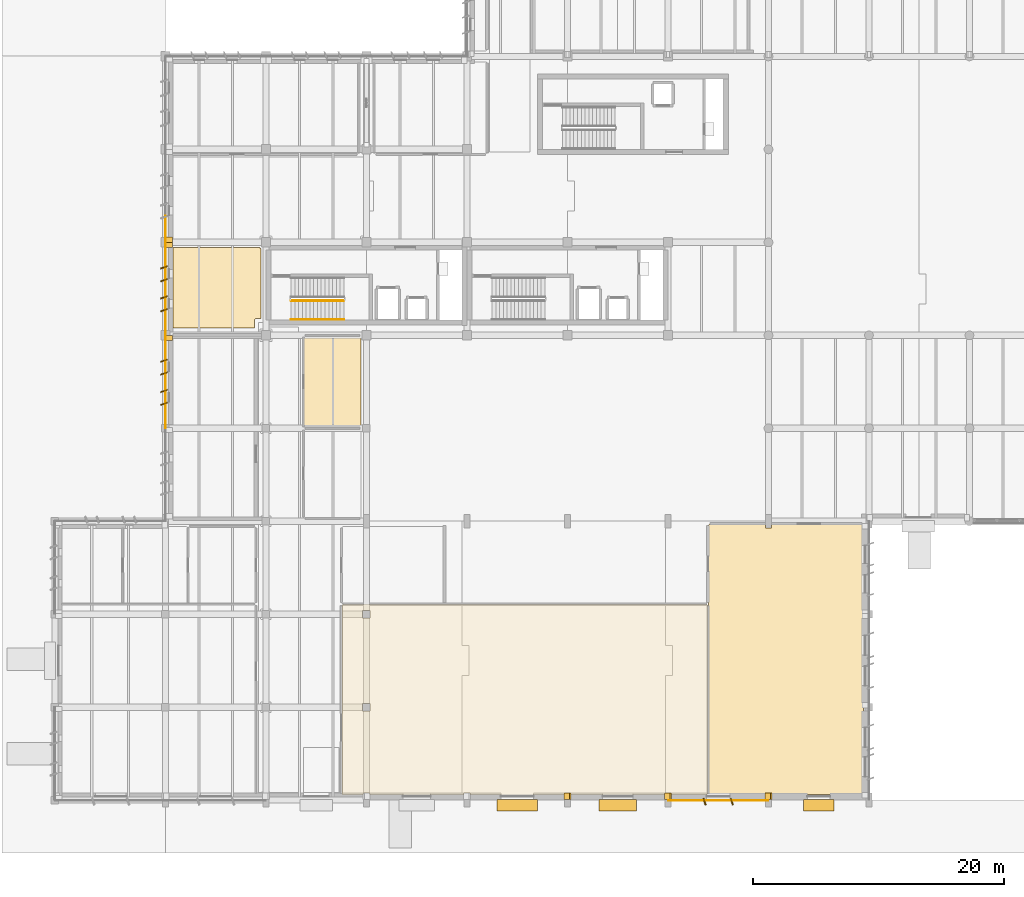
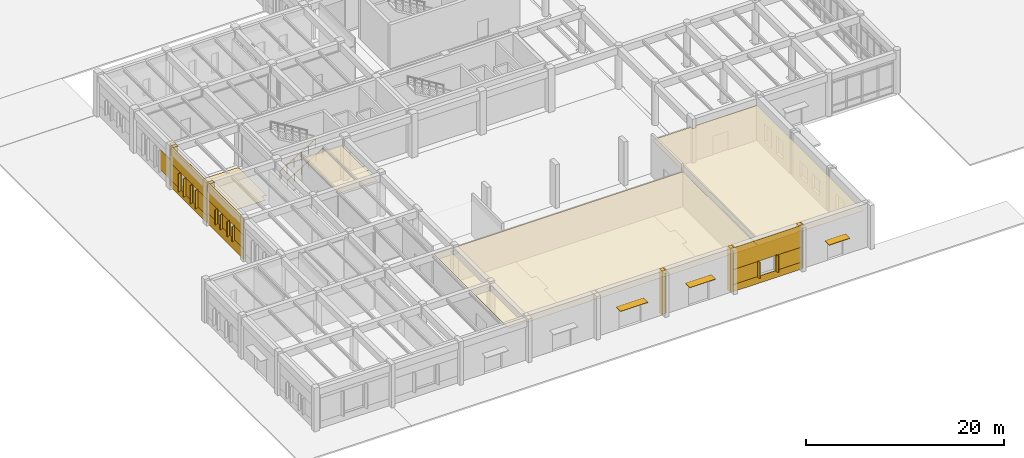
# One storey, part 35 of 56: 38 coverings, 3 shading devices, 2 railings.
"""IFC4 building model written with IfcOpenShell, lengths in metres."""

from ifc_helpers import new_model, si_unit, direction, frame, frame_2d, origin, origin_2d, place, context, subcontext, project, spatial, polyline, rectangle, circle, outline, extrude, material, layer, layer_set, type_object, element, save


model = new_model("IFC4")

# Units and contexts
model_context = context("Model", 3, precision=1e-05, world=origin(), true_north=direction((0.0, 1.0)))
body_context = subcontext(model_context, "Body", "Model", "MODEL_VIEW")
ifc_project = project(units=[si_unit("LENGTHUNIT", "METRE"), si_unit("AREAUNIT", "SQUARE_METRE"), si_unit("VOLUMEUNIT", "CUBIC_METRE"), si_unit("PLANEANGLEUNIT", "RADIAN"), si_unit("MASSUNIT", "GRAM", prefix="KILO")], contexts=[model_context])

# Site, building, storey
site_placement = place(None, origin())
site = spatial("IfcSite", under=ifc_project, at=site_placement, CompositionType="ELEMENT")
building_placement = place(site_placement, origin())
building = spatial("IfcBuilding", under=site, at=building_placement, Name="Valkorina Park Police Headquarters", CompositionType="ELEMENT")
storey_placement = place(building_placement, origin())
storey = spatial("IfcBuildingStorey", under=building, at=storey_placement, Name="L01", CompositionType="ELEMENT", Elevation=0.0)

# Coverings
ifc_material_1 = material(Name="Acoustic mineral board")
ifc_layer_1 = layer(ifc_material_1, 0.02490234375)
ifc_layer_set_1 = layer_set([ifc_layer_1], Name="Acoustic mineral board")
covering_type_1 = type_object("IfcCoveringType", Name="COV-CEILING-ACOUST", PredefinedType="CEILING", material=ifc_layer_set_1)
covering_1_placement = place(storey_placement, frame((0.0, 0.0, 4.264892578125)))
element("IfcCovering", 1, at=covering_1_placement, inside=storey, type_object=covering_type_1, Name="Public Entrance Hall Acoustic Suspended Ceiling", PredefinedType="CEILING", context=body_context, shape_type="SweptSolid", body=[
    extrude(outline(polyline([(24.574951171875, 0.45068359375), (24.574951171875, 0.550048828125), (25.02490234375, 0.550048828125), (25.02490234375, 0.45068359375), (25.02734375, 0.449462890625), (25.034423828125, 0.446044921875), (25.041748046875, 0.443359375), (25.04931640625, 0.44140625), (25.05712890625, 0.4404296875), (25.06494140625, 0.43994140625), (32.534912109375, 0.43994140625), (32.542724609375, 0.4404296875), (32.550537109375, 0.44140625), (32.55810546875, 0.443359375), (32.565673828125, 0.446044921875), (32.57275390625, 0.449462890625), (32.574951171875, 0.45068359375), (32.574951171875, 0.550048828125), (33.02490234375, 0.550048828125), (33.02490234375, 0.45068359375), (33.02734375, 0.449462890625), (33.034423828125, 0.446044921875), (33.041748046875, 0.443359375), (33.04931640625, 0.44140625), (33.05712890625, 0.4404296875), (33.06494140625, 0.43994140625), (40.534912109375, 0.43994140625), (40.542724609375, 0.4404296875), (40.550537109375, 0.44140625), (40.55810546875, 0.443359375), (40.565673828125, 0.446044921875), (40.57275390625, 0.449462890625), (40.574951171875, 0.45068359375), (40.574951171875, 0.550048828125), (41.02490234375, 0.550048828125), (41.02490234375, 0.45068359375), (41.02734375, 0.449462890625), (41.034423828125, 0.446044921875), (41.041748046875, 0.443359375), (41.04931640625, 0.44140625), (41.05712890625, 0.4404296875), (41.06494140625, 0.43994140625), (48.534912109375, 0.43994140625), (48.542724609375, 0.4404296875), (48.550537109375, 0.44140625), (48.55810546875, 0.443359375), (48.565673828125, 0.446044921875), (48.57275390625, 0.449462890625), (48.574951171875, 0.45068359375), (48.574951171875, 0.550048828125), (49.02490234375, 0.550048828125), (49.02490234375, 0.45068359375), (49.02734375, 0.449462890625), (49.034423828125, 0.446044921875), (49.041748046875, 0.443359375), (49.04931640625, 0.44140625), (49.05712890625, 0.4404296875), (49.06494140625, 0.43994140625), (51.8798828125, 0.43994140625), (51.8876953125, 0.4404296875), (51.8955078125, 0.44140625), (51.9033203125, 0.443359375), (51.91064453125, 0.446044921875), (51.917724609375, 0.449462890625), (51.92431640625, 0.45361328125), (51.930908203125, 0.458251953125), (51.9365234375, 0.46337890625), (51.94189453125, 0.46923828125), (51.946533203125, 0.4755859375), (51.95068359375, 0.482421875), (51.953857421875, 0.489501953125), (51.95654296875, 0.496826171875), (51.95849609375, 0.50439453125), (51.959716796875, 0.51220703125), (51.9599609375, 0.52001953125), (51.9599609375, 15.47998046875), (51.959716796875, 15.48779296875), (51.95849609375, 15.49560546875), (51.95654296875, 15.503173828125), (51.953857421875, 15.510498046875), (51.95068359375, 15.517578125), (51.946533203125, 15.5244140625), (51.94189453125, 15.53076171875), (51.9365234375, 15.53662109375), (51.930908203125, 15.541748046875), (51.92431640625, 15.54638671875), (51.917724609375, 15.550537109375), (51.91064453125, 15.553955078125), (51.9033203125, 15.556640625), (51.8955078125, 15.55859375), (51.8876953125, 15.5595703125), (51.8798828125, 15.56005859375), (22.919921875, 15.56005859375), (22.912109375, 15.5595703125), (22.904296875, 15.55859375), (22.896728515625, 15.556640625), (22.889404296875, 15.553955078125), (22.88232421875, 15.550537109375), (22.87548828125, 15.54638671875), (22.869140625, 15.541748046875), (22.86328125, 15.53662109375), (22.858154296875, 15.53076171875), (22.853515625, 15.5244140625), (22.849365234375, 15.517578125), (22.84619140625, 15.510498046875), (22.843505859375, 15.503173828125), (22.841552734375, 15.49560546875), (22.84033203125, 15.48779296875), (22.840087890625, 15.47998046875), (22.840087890625, 0.52001953125), (22.84033203125, 0.51220703125), (22.841552734375, 0.50439453125), (22.843505859375, 0.496826171875), (22.84619140625, 0.489501953125), (22.849365234375, 0.482421875), (22.853515625, 0.4755859375), (22.858154296875, 0.46923828125), (22.86328125, 0.46337890625), (22.869140625, 0.458251953125), (22.87548828125, 0.45361328125), (22.88232421875, 0.449462890625), (22.889404296875, 0.446044921875), (22.896728515625, 0.443359375), (22.904296875, 0.44140625), (22.912109375, 0.4404296875), (22.919921875, 0.43994140625), (24.534912109375, 0.43994140625), (24.542724609375, 0.4404296875), (24.550537109375, 0.44140625), (24.55810546875, 0.443359375), (24.565673828125, 0.446044921875), (24.57275390625, 0.449462890625), (24.574951171875, 0.45068359375)]), holes=[polyline([(25.10009765625, 14.5), (24.5, 14.5), (24.5, 15.10009765625), (25.10009765625, 15.10009765625), (25.10009765625, 14.5)]), polyline([(25.10009765625, 7.10009765625), (24.5, 7.10009765625), (24.5, 7.699951171875), (25.10009765625, 7.699951171875), (25.10009765625, 7.10009765625)])]), origin(), (0.0, 0.0, 1.0), 0.025146484375),
])
covering_2_placement = place(storey_placement, frame((0.0, 0.0, 4.264892578125)))
element("IfcCovering", 2, at=covering_2_placement, inside=storey, type_object=covering_type_1, Name="Press Briefing Hall Acoustic Suspended Ceiling", PredefinedType="CEILING", context=body_context, shape_type="SweptSolid", body=[
    extrude(outline(polyline([(56.574951171875, 0.45068359375), (56.574951171875, 0.550048828125), (57.02490234375, 0.550048828125), (57.02490234375, 0.45068359375), (57.02734375, 0.449462890625), (57.034423828125, 0.446044921875), (57.041748046875, 0.443359375), (57.04931640625, 0.44140625), (57.05712890625, 0.4404296875), (57.06494140625, 0.43994140625), (64.280029296875, 0.43994140625), (64.287841796875, 0.4404296875), (64.295654296875, 0.44140625), (64.30322265625, 0.443359375), (64.310546875, 0.446044921875), (64.317626953125, 0.449462890625), (64.324462890625, 0.45361328125), (64.330810546875, 0.458251953125), (64.336669921875, 0.46337890625), (64.341796875, 0.46923828125), (64.346435546875, 0.4755859375), (64.3505859375, 0.482421875), (64.35400390625, 0.489501953125), (64.356689453125, 0.496826171875), (64.3583984375, 0.50439453125), (64.359619140625, 0.51220703125), (64.360107421875, 0.52001953125), (64.360107421875, 21.8798828125), (64.359619140625, 21.8876953125), (64.3583984375, 21.8955078125), (64.356689453125, 21.9033203125), (64.35400390625, 21.91064453125), (64.3505859375, 21.917724609375), (64.346435546875, 21.92431640625), (64.341796875, 21.930908203125), (64.336669921875, 21.9365234375), (64.330810546875, 21.94189453125), (64.324462890625, 21.946533203125), (64.317626953125, 21.95068359375), (64.310546875, 21.953857421875), (64.30322265625, 21.95654296875), (64.295654296875, 21.95849609375), (64.287841796875, 21.959716796875), (64.280029296875, 21.9599609375), (57.06494140625, 21.9599609375), (57.05712890625, 21.959716796875), (57.04931640625, 21.95849609375), (57.041748046875, 21.95654296875), (57.034423828125, 21.953857421875), (57.02734375, 21.95068359375), (57.02490234375, 21.94921875), (57.02490234375, 21.64990234375), (56.574951171875, 21.64990234375), (56.574951171875, 21.94921875), (56.57275390625, 21.95068359375), (56.565673828125, 21.953857421875), (56.55810546875, 21.95654296875), (56.550537109375, 21.95849609375), (56.542724609375, 21.959716796875), (56.534912109375, 21.9599609375), (52.1201171875, 21.9599609375), (52.1123046875, 21.959716796875), (52.1044921875, 21.95849609375), (52.0966796875, 21.95654296875), (52.08935546875, 21.953857421875), (52.082275390625, 21.95068359375), (52.07568359375, 21.946533203125), (52.069091796875, 21.94189453125), (52.0634765625, 21.9365234375), (52.05810546875, 21.930908203125), (52.053466796875, 21.92431640625), (52.04931640625, 21.917724609375), (52.046142578125, 21.91064453125), (52.04345703125, 21.9033203125), (52.04150390625, 21.8955078125), (52.040283203125, 21.8876953125), (52.0400390625, 21.8798828125), (52.0400390625, 0.52001953125), (52.040283203125, 0.51220703125), (52.04150390625, 0.50439453125), (52.04345703125, 0.496826171875), (52.046142578125, 0.489501953125), (52.04931640625, 0.482421875), (52.053466796875, 0.4755859375), (52.05810546875, 0.46923828125), (52.0634765625, 0.46337890625), (52.069091796875, 0.458251953125), (52.07568359375, 0.45361328125), (52.082275390625, 0.449462890625), (52.08935546875, 0.446044921875), (52.0966796875, 0.443359375), (52.1044921875, 0.44140625), (52.1123046875, 0.4404296875), (52.1201171875, 0.43994140625), (56.534912109375, 0.43994140625), (56.542724609375, 0.4404296875), (56.550537109375, 0.44140625), (56.55810546875, 0.443359375), (56.565673828125, 0.446044921875), (56.57275390625, 0.449462890625), (56.574951171875, 0.45068359375)])), origin(), (0.0, 0.0, 1.0), 0.025146484375),
])
covering_3_placement = place(storey_placement, frame((0.0, 0.0, 4.264892578125)))
element("IfcCovering", 3, at=covering_3_placement, inside=storey, type_object=covering_type_1, Name="Central Badging and Turnstile Control Room Acoustic Suspended Ceiling", PredefinedType="CEILING", context=body_context, shape_type="SweptSolid", body=[
    extrude(outline(polyline([(24.3583984375, 29.704345703125), (24.359619140625, 29.712158203125), (24.360107421875, 29.719970703125), (24.360107421875, 36.8798828125), (24.359619140625, 36.8876953125), (24.3583984375, 36.8955078125), (24.356689453125, 36.9033203125), (24.35400390625, 36.91064453125), (24.3505859375, 36.917724609375), (24.346435546875, 36.92431640625), (24.341796875, 36.930908203125), (24.336669921875, 36.9365234375), (24.330810546875, 36.94189453125), (24.324462890625, 36.946533203125), (24.317626953125, 36.95068359375), (24.310546875, 36.953857421875), (24.30322265625, 36.95654296875), (24.295654296875, 36.95849609375), (24.287841796875, 36.959716796875), (24.280029296875, 36.9599609375), (19.919921875, 36.9599609375), (19.912109375, 36.959716796875), (19.904296875, 36.95849609375), (19.896728515625, 36.95654296875), (19.889404296875, 36.953857421875), (19.88232421875, 36.95068359375), (19.87548828125, 36.946533203125), (19.869140625, 36.94189453125), (19.86328125, 36.9365234375), (19.858154296875, 36.930908203125), (19.853515625, 36.92431640625), (19.849365234375, 36.917724609375), (19.84619140625, 36.91064453125), (19.843505859375, 36.9033203125), (19.841552734375, 36.8955078125), (19.84033203125, 36.8876953125), (19.840087890625, 36.8798828125), (19.840087890625, 29.719970703125), (19.84033203125, 29.712158203125), (19.841552734375, 29.704345703125), (19.843505859375, 29.69677734375), (19.84619140625, 29.689453125), (19.849365234375, 29.682373046875), (19.853515625, 29.675537109375), (19.858154296875, 29.669189453125), (19.86328125, 29.663330078125), (19.869140625, 29.658203125), (19.87548828125, 29.653564453125), (19.88232421875, 29.6494140625), (19.889404296875, 29.64599609375), (19.896728515625, 29.643310546875), (19.904296875, 29.6416015625), (19.912109375, 29.640380859375), (19.919921875, 29.639892578125), (24.280029296875, 29.639892578125), (24.287841796875, 29.640380859375), (24.295654296875, 29.6416015625), (24.30322265625, 29.643310546875), (24.310546875, 29.64599609375), (24.317626953125, 29.6494140625), (24.324462890625, 29.653564453125), (24.330810546875, 29.658203125), (24.336669921875, 29.663330078125), (24.341796875, 29.669189453125), (24.346435546875, 29.675537109375), (24.3505859375, 29.682373046875), (24.35400390625, 29.689453125), (24.356689453125, 29.69677734375), (24.3583984375, 29.704345703125)])), origin(), (0.0, 0.0, 1.0), 0.025146484375),
])
ifc_material_2 = material(Name="Precast concrete C40/50", Category="concrete")
ifc_layer_2 = layer(ifc_material_2, 0.044921875)
ifc_layer_set_2 = layer_set([ifc_layer_2], Name="Precast concrete C40/50")
covering_type_2 = type_object("IfcCoveringType", Name="COV-CLAD-DOLOMITE", PredefinedType="CLADDING", material=ifc_layer_set_2)
covering_4_placement = place(storey_placement, frame((9.090087890625, 36.784912109375, 0.0), z_axis=(0.0, 0.0, 1.0), x_axis=(0.0, 1.0, 0.0)))
element("IfcCovering", 4, at=covering_4_placement, inside=storey, type_object=covering_type_2, Name="L01 Exterior Joint Closure Pilaster B 0046", PredefinedType="CLADDING", context=body_context, shape_type="SweptSolid", body=[
    extrude(rectangle(XDim=0.419921875, YDim=0.52197265625, at=origin_2d()), origin(), (0.0, 0.0, 1.0), 5.139892578125),
])
for number, where, z_axis, x_axis, name in (
    (5, (8.679931640625, 31.545654296875, 1.22998046875), (0.0, 0.0, 1.0), (-0.948323655206, -0.317304656405, 0.0), "Slanted 18.5-deg Precast Window Slot Fin 0047"),
    (6, (8.679931640625, 32.565673828125, 1.22998046875), (0.0, 0.0, 1.0), (-0.948323655206, -0.317304656405, 0.0), "Slanted 18.5-deg Precast Window Slot Fin 0048"),
    (7, (8.679931640625, 33.95947265625, 1.22998046875), (0.0, 0.0, 1.0), (-0.948323655206, -0.317304656405, 0.0), "Slanted 18.5-deg Precast Window Slot Fin 0049"),
    (8, (8.679931640625, 34.9794921875, 1.22998046875), (0.0, 0.0, 1.0), (-0.948323655206, -0.317304656405, 0.0), "Slanted 18.5-deg Precast Window Slot Fin 0050"),
):
    element("IfcCovering", number, at=place(storey_placement, frame(where, z_axis=z_axis, x_axis=x_axis)), inside=storey, type_object=covering_type_2, Name=name, PredefinedType="CLADDING", context=body_context, shape_type="SweptSolid", body=[
        extrude(rectangle(XDim=0.5400390625, YDim=0.090087890625, at=origin_2d()), origin(), (0.0, 0.0, 1.0), 1.840087890625),
    ])
covering_5_placement = place(storey_placement, frame((8.784912109375, 29.6201171875, 0.0), z_axis=(0.0, 0.0, 1.0), x_axis=(0.0, 1.0, 0.0)))
element("IfcCovering", 9, at=covering_5_placement, inside=storey, type_object=covering_type_2, Name="L01 Calm Concrete Base Sill Spandrel 0051", PredefinedType="CLADDING", context=body_context, shape_type="SweptSolid", body=[
    extrude(rectangle(XDim=7.35986328125, YDim=0.044921875, at=frame_2d((3.679931640625, 0.0))), origin(), (0.0, 0.0, 1.0), 1.320068359375),
])
covering_6_placement = place(storey_placement, frame((8.784912109375, 29.6201171875, 2.97998046875), z_axis=(0.0, 0.0, 1.0), x_axis=(0.0, 1.0, 0.0)))
element("IfcCovering", 10, at=covering_6_placement, inside=storey, type_object=covering_type_2, Name="L01 Calm Concrete Base Lintel Spandrel 0052", PredefinedType="CLADDING", context=body_context, shape_type="SweptSolid", body=[
    extrude(rectangle(XDim=7.35986328125, YDim=0.044921875, at=frame_2d((3.679931640625, 0.0))), origin(), (0.0, 0.0, 1.0), 2.159912109375),
])
covering_7_placement = place(storey_placement, frame((8.784912109375, 29.6201171875, 1.320068359375), z_axis=(0.0, 0.0, 1.0), x_axis=(0.0, 1.0, 0.0)))
element("IfcCovering", 11, at=covering_7_placement, inside=storey, type_object=covering_type_2, Name="L01 Calm Concrete Base Slot Pier 0053", PredefinedType="CLADDING", context=body_context, shape_type="SweptSolid", body=[
    extrude(rectangle(XDim=2.035400390625, YDim=0.044921875, at=frame_2d((1.017578125, 0.0))), origin(), (0.0, 0.0, 1.0), 1.659912109375),
])
covering_8_placement = place(storey_placement, frame((8.784912109375, 32.45556640625, 1.320068359375), z_axis=(0.0, 0.0, 1.0), x_axis=(0.0, 1.0, 0.0)))
element("IfcCovering", 12, at=covering_8_placement, inside=storey, type_object=covering_type_2, Name="L01 Calm Concrete Base Slot Pier 0054", PredefinedType="CLADDING", context=body_context, shape_type="SweptSolid", body=[
    extrude(rectangle(XDim=1.61376953125, YDim=0.044921875, at=frame_2d((0.806884765625, 0.0))), origin(), (0.0, 0.0, 1.0), 1.659912109375),
])
covering_9_placement = place(storey_placement, frame((8.784912109375, 34.869384765625, 1.320068359375), z_axis=(0.0, 0.0, 1.0), x_axis=(0.0, 1.0, 0.0)))
element("IfcCovering", 13, at=covering_9_placement, inside=storey, type_object=covering_type_2, Name="L01 Calm Concrete Base Slot Pier 0055", PredefinedType="CLADDING", context=body_context, shape_type="SweptSolid", body=[
    extrude(rectangle(XDim=2.110595703125, YDim=0.044921875, at=frame_2d((1.05517578125, 0.0))), origin(), (0.0, 0.0, 1.0), 1.659912109375),
])
covering_10_placement = place(storey_placement, frame((9.090087890625, 44.18505859375, 0.0), z_axis=(0.0, 0.0, 1.0), x_axis=(0.0, 1.0, 0.0)))
element("IfcCovering", 14, at=covering_10_placement, inside=storey, type_object=covering_type_2, Name="L01 Exterior Joint Closure Pilaster B 0056", PredefinedType="CLADDING", context=body_context, shape_type="SweptSolid", body=[
    extrude(rectangle(XDim=0.419921875, YDim=0.52197265625, at=origin_2d()), origin(), (0.0, 0.0, 1.0), 5.139892578125),
])
for number, where, z_axis, x_axis, name in (
    (15, (8.679931640625, 38.99658203125, 0.77978515625), (0.0, 0.0, 1.0), (-0.948323655206, -0.317304656405, 0.0), "Slanted 18.5-deg Precast Window Slot Fin 0057"),
    (16, (8.679931640625, 40.0166015625, 0.77978515625), (0.0, 0.0, 1.0), (-0.948323655206, -0.317304656405, 0.0), "Slanted 18.5-deg Precast Window Slot Fin 0058"),
    (17, (8.679931640625, 41.38330078125, 0.77978515625), (0.0, 0.0, 1.0), (-0.948323655206, -0.317304656405, 0.0), "Slanted 18.5-deg Precast Window Slot Fin 0059"),
    (18, (8.679931640625, 42.4033203125, 0.77978515625), (0.0, 0.0, 1.0), (-0.948323655206, -0.317304656405, 0.0), "Slanted 18.5-deg Precast Window Slot Fin 0060"),
):
    element("IfcCovering", number, at=place(storey_placement, frame(where, z_axis=z_axis, x_axis=x_axis)), inside=storey, type_object=covering_type_2, Name=name, PredefinedType="CLADDING", context=body_context, shape_type="SweptSolid", body=[
        extrude(rectangle(XDim=0.5400390625, YDim=0.090087890625, at=origin_2d()), origin(), (0.0, 0.0, 1.0), 2.239990234375),
    ])
covering_11_placement = place(storey_placement, frame((8.784912109375, 37.02001953125, 0.0), z_axis=(0.0, 0.0, 1.0), x_axis=(0.0, 1.0, 0.0)))
element("IfcCovering", 19, at=covering_11_placement, inside=storey, type_object=covering_type_2, Name="L01 Calm Concrete Base Sill Spandrel 0061", PredefinedType="CLADDING", context=body_context, shape_type="SweptSolid", body=[
    extrude(rectangle(XDim=7.35986328125, YDim=0.044921875, at=frame_2d((3.679931640625, 0.0))), origin(), (0.0, 0.0, 1.0), 0.8701171875),
])
covering_12_placement = place(storey_placement, frame((8.784912109375, 37.02001953125, 2.929931640625), z_axis=(0.0, 0.0, 1.0), x_axis=(0.0, 1.0, 0.0)))
element("IfcCovering", 20, at=covering_12_placement, inside=storey, type_object=covering_type_2, Name="L01 Calm Concrete Base Lintel Spandrel 0062", PredefinedType="CLADDING", context=body_context, shape_type="SweptSolid", body=[
    extrude(rectangle(XDim=7.35986328125, YDim=0.044921875, at=frame_2d((3.679931640625, 0.0))), origin(), (0.0, 0.0, 1.0), 2.2099609375),
])
covering_13_placement = place(storey_placement, frame((8.784912109375, 37.02001953125, 0.8701171875), z_axis=(0.0, 0.0, 1.0), x_axis=(0.0, 1.0, 0.0)))
element("IfcCovering", 21, at=covering_13_placement, inside=storey, type_object=covering_type_2, Name="L01 Calm Concrete Base Slot Pier 0063", PredefinedType="CLADDING", context=body_context, shape_type="SweptSolid", body=[
    extrude(rectangle(XDim=2.086669921875, YDim=0.044921875, at=frame_2d((1.04345703125, 0.0))), origin(), (0.0, 0.0, 1.0), 2.059814453125),
])
covering_14_placement = place(storey_placement, frame((8.784912109375, 39.906494140625, 0.8701171875), z_axis=(0.0, 0.0, 1.0), x_axis=(0.0, 1.0, 0.0)))
element("IfcCovering", 22, at=covering_14_placement, inside=storey, type_object=covering_type_2, Name="L01 Calm Concrete Base Slot Pier 0064", PredefinedType="CLADDING", context=body_context, shape_type="SweptSolid", body=[
    extrude(rectangle(XDim=1.5869140625, YDim=0.044921875, at=frame_2d((0.79345703125, 0.0))), origin(), (0.0, 0.0, 1.0), 2.059814453125),
])
covering_15_placement = place(storey_placement, frame((8.784912109375, 42.29345703125, 0.8701171875), z_axis=(0.0, 0.0, 1.0), x_axis=(0.0, 1.0, 0.0)))
element("IfcCovering", 23, at=covering_15_placement, inside=storey, type_object=covering_type_2, Name="L01 Calm Concrete Base Slot Pier 0065", PredefinedType="CLADDING", context=body_context, shape_type="SweptSolid", body=[
    extrude(rectangle(XDim=2.08642578125, YDim=0.044921875, at=frame_2d((1.043212890625, 0.0))), origin(), (0.0, 0.0, 1.0), 2.059814453125),
])
covering_16_placement = place(storey_placement, frame((9.090087890625, 44.614990234375, 0.0), z_axis=(0.0, 0.0, 1.0), x_axis=(0.0, 1.0, 0.0)))
element("IfcCovering", 24, at=covering_16_placement, inside=storey, type_object=covering_type_2, Name="L01 Exterior Joint Closure Pilaster A 0066", PredefinedType="CLADDING", context=body_context, shape_type="SweptSolid", body=[
    extrude(rectangle(XDim=0.419921875, YDim=0.52197265625, at=origin_2d()), origin(), (0.0, 0.0, 1.0), 5.139892578125),
])
covering_17_placement = place(storey_placement, frame((8.784912109375, 44.419921875, 0.8701171875), z_axis=(0.0, 0.0, 1.0), x_axis=(0.0, 1.0, 0.0)))
element("IfcCovering", 25, at=covering_17_placement, inside=storey, type_object=covering_type_2, Name="L01 Calm Concrete Base Slot Pier 0074", PredefinedType="CLADDING", context=body_context, shape_type="SweptSolid", body=[
    extrude(rectangle(XDim=2.086669921875, YDim=0.044921875, at=frame_2d((1.04345703125, 0.0))), origin(), (0.0, 0.0, 1.0), 2.4599609375),
])
for number, where, z_axis, x_axis, name in (
    (26, (56.864990234375, 0.2900390625, 0.0), (0.0, 0.0, 1.0), (1.0, 0.0, 0.0), "L01 Exterior Joint Closure Pilaster B 0786"),
    (27, (56.735107421875, 0.2900390625, 0.0), (0.0, 0.0, 1.0), (1.0, 0.0, 0.0), "L01 Exterior Joint Closure Pilaster A 0787"),
    (28, (48.864990234375, 0.2900390625, 0.0), (0.0, 0.0, 1.0), (1.0, 0.0, 0.0), "L01 Exterior Joint Closure Pilaster B 0788"),
):
    element("IfcCovering", number, at=place(storey_placement, frame(where, z_axis=z_axis, x_axis=x_axis)), inside=storey, type_object=covering_type_2, Name=name, PredefinedType="CLADDING", context=body_context, shape_type="SweptSolid", body=[
        extrude(rectangle(XDim=0.419921875, YDim=0.52197265625, at=origin_2d()), origin(), (0.0, 0.0, 1.0), 5.39990234375),
    ])
for number, where, z_axis, x_axis, name in (
    (29, (53.885009765625, -0.1201171875, 0.780029296875), (0.0, 0.0, 1.0), (0.317304656405, -0.948323655206, 0.0), "Slanted 18.5-deg Precast Window Slot Fin 0789"),
    (30, (51.715087890625, -0.1201171875, 0.780029296875), (0.0, 0.0, 1.0), (0.317304656405, -0.948323655206, 0.0), "Slanted 18.5-deg Precast Window Slot Fin 0790"),
):
    element("IfcCovering", number, at=place(storey_placement, frame(where, z_axis=z_axis, x_axis=x_axis)), inside=storey, type_object=covering_type_2, Name=name, PredefinedType="CLADDING", context=body_context, shape_type="SweptSolid", body=[
        extrude(rectangle(XDim=0.5400390625, YDim=0.090087890625, at=origin_2d()), origin(), (0.0, 0.0, 1.0), 2.0400390625),
    ])
covering_18_placement = place(storey_placement, frame((56.780029296875, -0.014892578125, 0.0), z_axis=(0.0, 0.0, 1.0), x_axis=(-1.0, 0.0, 0.0)))
element("IfcCovering", 31, at=covering_18_placement, inside=storey, type_object=covering_type_2, Name="L01 Calm Concrete Base Sill Spandrel 0791", PredefinedType="CLADDING", context=body_context, shape_type="SweptSolid", body=[
    extrude(rectangle(XDim=7.9599609375, YDim=0.044921875, at=frame_2d((3.97998046875, 0.0))), origin(), (0.0, 0.0, 1.0), 0.8701171875),
])
covering_19_placement = place(storey_placement, frame((56.780029296875, -0.014892578125, 2.72998046875), z_axis=(0.0, 0.0, 1.0), x_axis=(-1.0, 0.0, 0.0)))
element("IfcCovering", 32, at=covering_19_placement, inside=storey, type_object=covering_type_2, Name="L01 Calm Concrete Base Lintel Spandrel 0792", PredefinedType="CLADDING", context=body_context, shape_type="SweptSolid", body=[
    extrude(rectangle(XDim=7.9599609375, YDim=0.044921875, at=frame_2d((3.97998046875, 0.0))), origin(), (0.0, 0.0, 1.0), 2.669921875),
])
covering_20_placement = place(storey_placement, frame((56.780029296875, -0.014892578125, 0.8701171875), z_axis=(0.0, 0.0, 1.0), x_axis=(-1.0, 0.0, 0.0)))
element("IfcCovering", 33, at=covering_20_placement, inside=storey, type_object=covering_type_2, Name="L01 Calm Concrete Base Slot Pier 0793", PredefinedType="CLADDING", context=body_context, shape_type="SweptSolid", body=[
    extrude(rectangle(XDim=3.005126953125, YDim=0.044921875, at=frame_2d((1.50244140625, 0.0))), origin(), (0.0, 0.0, 1.0), 1.85986328125),
])
covering_21_placement = place(storey_placement, frame((51.824951171875, -0.014892578125, 0.8701171875), z_axis=(0.0, 0.0, 1.0), x_axis=(-1.0, 0.0, 0.0)))
element("IfcCovering", 34, at=covering_21_placement, inside=storey, type_object=covering_type_2, Name="L01 Calm Concrete Base Slot Pier 0794", PredefinedType="CLADDING", context=body_context, shape_type="SweptSolid", body=[
    extrude(rectangle(XDim=3.0048828125, YDim=0.044921875, at=frame_2d((1.50244140625, 0.0))), origin(), (0.0, 0.0, 1.0), 1.85986328125),
])
for number, where, z_axis, x_axis, name in (
    (35, (48.735107421875, 0.2900390625, 0.0), (0.0, 0.0, 1.0), (1.0, 0.0, 0.0), "L01 Exterior Joint Closure Pilaster A 0795"),
    (36, (40.864990234375, 0.2900390625, 0.0), (0.0, 0.0, 1.0), (1.0, 0.0, 0.0), "L01 Exterior Joint Closure Pilaster B 0796"),
    (37, (40.735107421875, 0.2900390625, 0.0), (0.0, 0.0, 1.0), (1.0, 0.0, 0.0), "L01 Exterior Joint Closure Pilaster A 0797"),
):
    element("IfcCovering", number, at=place(storey_placement, frame(where, z_axis=z_axis, x_axis=x_axis)), inside=storey, type_object=covering_type_2, Name=name, PredefinedType="CLADDING", context=body_context, shape_type="SweptSolid", body=[
        extrude(rectangle(XDim=0.419921875, YDim=0.52197265625, at=origin_2d()), origin(), (0.0, 0.0, 1.0), 5.39990234375),
    ])
ifc_material_3 = material(Name="Resin terrazzo flooring")
ifc_layer_3 = layer(ifc_material_3, 0.030029296875)
ifc_layer_set_3 = layer_set([ifc_layer_3], Name="Resin terrazzo flooring")
covering_type_3 = type_object("IfcCoveringType", Name="COV-FLOOR-TERRAZZO", PredefinedType="FLOORING", material=ifc_layer_set_3)
covering_22_placement = place(storey_placement, origin())
element("IfcCovering", 38, at=covering_22_placement, inside=storey, type_object=covering_type_3, Name="West Spine Vestibule Corridor Terrazzo Flooring", PredefinedType="FLOORING", context=body_context, shape_type="SweptSolid", body=[
    extrude(outline(polyline([(16.39990234375, 43.905029296875), (16.385009765625, 43.905029296875), (16.377197265625, 43.905517578125), (16.369384765625, 43.906494140625), (16.36181640625, 43.908447265625), (16.3544921875, 43.9111328125), (16.347412109375, 43.914306640625), (16.340576171875, 43.91845703125), (16.334228515625, 43.923095703125), (16.328369140625, 43.928466796875), (16.3232421875, 43.93408203125), (16.318603515625, 43.940673828125), (16.314453125, 43.947265625), (16.31103515625, 43.954345703125), (16.308349609375, 43.9619140625), (16.306396484375, 43.969482421875), (16.305419921875, 43.977294921875), (16.304931640625, 43.985107421875), (16.304931640625, 44.0), (9.39990234375, 44.0), (9.39990234375, 37.60009765625), (15.8798828125, 37.60009765625), (15.8798828125, 38.199951171875), (15.880126953125, 38.203857421875), (15.88037109375, 38.207763671875), (15.881103515625, 38.2158203125), (15.881591796875, 38.219482421875), (15.88330078125, 38.227294921875), (15.884033203125, 38.23095703125), (15.886474609375, 38.238525390625), (15.8876953125, 38.2421875), (15.890625, 38.24951171875), (15.892333984375, 38.253173828125), (15.89599609375, 38.260009765625), (15.898193359375, 38.263427734375), (15.902587890625, 38.27001953125), (15.90478515625, 38.27294921875), (15.909912109375, 38.279052734375), (15.912353515625, 38.281982421875), (15.91796875, 38.28759765625), (15.9208984375, 38.290283203125), (15.927001953125, 38.295166015625), (15.93017578125, 38.297607421875), (15.9365234375, 38.302001953125), (15.93994140625, 38.303955078125), (15.947021484375, 38.3076171875), (15.950439453125, 38.309326171875), (15.957763671875, 38.312255859375), (15.96142578125, 38.313720703125), (15.968994140625, 38.31591796875), (15.972900390625, 38.31689453125), (15.98046875, 38.318359375), (15.984375, 38.31884765625), (15.9921875, 38.319580078125), (15.99609375, 38.31982421875), (16.0, 38.320068359375), (16.39990234375, 38.320068359375), (16.39990234375, 43.905029296875)])), origin(), (0.0, 0.0, 1.0), 0.030029296875),
])

# Railings
ifc_material_4 = material(Name="Stainless steel EN 1.4404", Category="steel")
railing_type_1 = type_object("IfcRailingType", Name="RL-GUARD-INT-1100", PredefinedType="BALUSTRADE", material=ifc_material_4)
railing_1_placement = place(storey_placement, frame((18.800048828125, 39.75, 0.179931640625)))
element("IfcRailing", 39, at=railing_1_placement, inside=storey, type_object=railing_type_1, Name="L01 Core C1 Stair Guard 1", PredefinedType="BALUSTRADE", context=body_context, shape_type="SweptSolid", body=[
    extrude(circle(Radius=0.02392578125, at=origin_2d()), frame((0.0, 0.0, 1.09619140625), z_axis=(0.857488527567, 0.0, 0.514503085598), x_axis=(0.0, 1.0, 0.0)), (0.0, 0.0, 1.0), 4.89794921875),
    extrude(circle(Radius=0.02099609375, at=origin_2d()), origin(), (0.0, 0.0, 1.0), 1.072021484375),
    extrude(circle(Radius=0.02099609375, at=origin_2d()), frame((0.840087890625, 0.0, 0.50390625)), (0.0, 0.0, 1.0), 1.072021484375),
    extrude(circle(Radius=0.02099609375, at=origin_2d()), frame((1.679931640625, 0.0, 1.008056640625)), (0.0, 0.0, 1.0), 1.072021484375),
    extrude(circle(Radius=0.02099609375, at=origin_2d()), frame((2.52001953125, 0.0, 1.511962890625)), (0.0, 0.0, 1.0), 1.072021484375),
    extrude(circle(Radius=0.02099609375, at=origin_2d()), frame((3.35986328125, 0.0, 2.01611328125)), (0.0, 0.0, 1.0), 1.072021484375),
    extrude(circle(Radius=0.02099609375, at=origin_2d()), frame((4.199951171875, 0.0, 2.52001953125)), (0.0, 0.0, 1.0), 1.072021484375),
])
railing_type_2 = type_object("IfcRailingType", Name="RL-HANDRAIL-900", PredefinedType="HANDRAIL", material=ifc_material_4)
railing_2_placement = place(storey_placement, frame((18.800048828125, 38.25, 0.179931640625)))
element("IfcRailing", 40, at=railing_2_placement, inside=storey, type_object=railing_type_2, Name="L01 Core C1 Stair Handrail 1", PredefinedType="HANDRAIL", context=body_context, shape_type="SweptSolid", body=[
    extrude(circle(Radius=0.02392578125, at=origin_2d()), frame((0.0, 0.0, 0.8759765625), z_axis=(0.857488527567, 0.0, 0.514503085598), x_axis=(0.0, 1.0, 0.0)), (0.0, 0.0, 1.0), 4.89794921875),
    extrude(circle(Radius=0.02099609375, at=origin_2d()), origin(), (0.0, 0.0, 1.0), 0.851806640625),
    extrude(circle(Radius=0.02099609375, at=origin_2d()), frame((0.840087890625, 0.0, 0.50390625)), (0.0, 0.0, 1.0), 0.851806640625),
    extrude(circle(Radius=0.02099609375, at=origin_2d()), frame((1.679931640625, 0.0, 1.008056640625)), (0.0, 0.0, 1.0), 0.851806640625),
    extrude(circle(Radius=0.02099609375, at=origin_2d()), frame((2.52001953125, 0.0, 1.511962890625)), (0.0, 0.0, 1.0), 0.851806640625),
    extrude(circle(Radius=0.02099609375, at=origin_2d()), frame((3.35986328125, 0.0, 2.01611328125)), (0.0, 0.0, 1.0), 0.851806640625),
    extrude(circle(Radius=0.02099609375, at=origin_2d()), frame((4.199951171875, 0.0, 2.52001953125)), (0.0, 0.0, 1.0), 0.851806640625),
])

# Shading devices
ifc_material_5 = material(Name="Polychrome anodized aluminium - Baltic Amber", Category="aluminium")
ifc_layer_4 = layer(ifc_material_5, 0.054931640625)
ifc_layer_set_4 = layer_set([ifc_layer_4], Name="Polychrome anodized aluminium - Baltic Amber")
shading_device_type = type_object("IfcShadingDeviceType", Name="SHD-CANOPY-SUNSHADE", PredefinedType="JALOUSIE", material=ifc_layer_set_4)
shading_device_1_placement = place(storey_placement, frame((60.800048828125, -0.39990234375, 2.4423828125), z_axis=(0.0, 0.0, 1.0), x_axis=(-1.0, 0.0, 0.0)))
element("IfcShadingDevice", 41, at=shading_device_1_placement, inside=storey, type_object=shading_device_type, Name="L01 Entrance Canopy Sunshade 015", PredefinedType="JALOUSIE", context=body_context, shape_type="SweptSolid", body=[
    extrude(rectangle(XDim=2.39990234375, YDim=0.89990234375, at=origin_2d()), origin(), (0.0, 0.0, 1.0), 0.054931640625),
])
shading_device_2_placement = place(storey_placement, frame((44.800048828125, -0.39990234375, 2.892578125), z_axis=(0.0, 0.0, 1.0), x_axis=(-1.0, 0.0, 0.0)))
element("IfcShadingDevice", 42, at=shading_device_2_placement, inside=storey, type_object=shading_device_type, Name="L01 Entrance Canopy Sunshade 016", PredefinedType="JALOUSIE", context=body_context, shape_type="SweptSolid", body=[
    extrude(rectangle(XDim=3.0, YDim=0.89990234375, at=origin_2d()), origin(), (0.0, 0.0, 1.0), 0.054931640625),
])
shading_device_3_placement = place(storey_placement, frame((36.800048828125, -0.39990234375, 2.79248046875), z_axis=(0.0, 0.0, 1.0), x_axis=(-1.0, 0.0, 0.0)))
element("IfcShadingDevice", 43, at=shading_device_3_placement, inside=storey, type_object=shading_device_type, Name="L01 Entrance Canopy Sunshade 017", PredefinedType="JALOUSIE", context=body_context, shape_type="SweptSolid", body=[
    extrude(rectangle(XDim=3.199951171875, YDim=0.89990234375, at=origin_2d()), origin(), (0.0, 0.0, 1.0), 0.054931640625),
])

save(model, "model.ifc")
